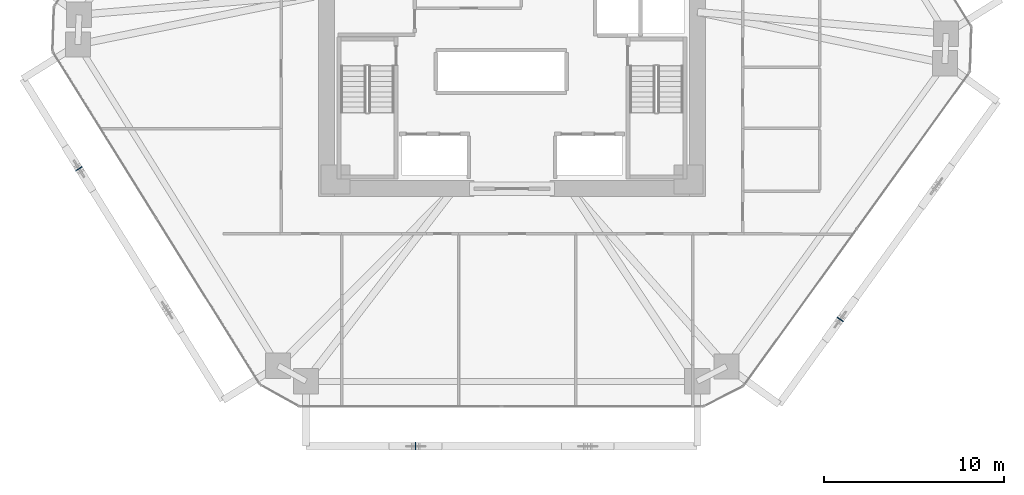
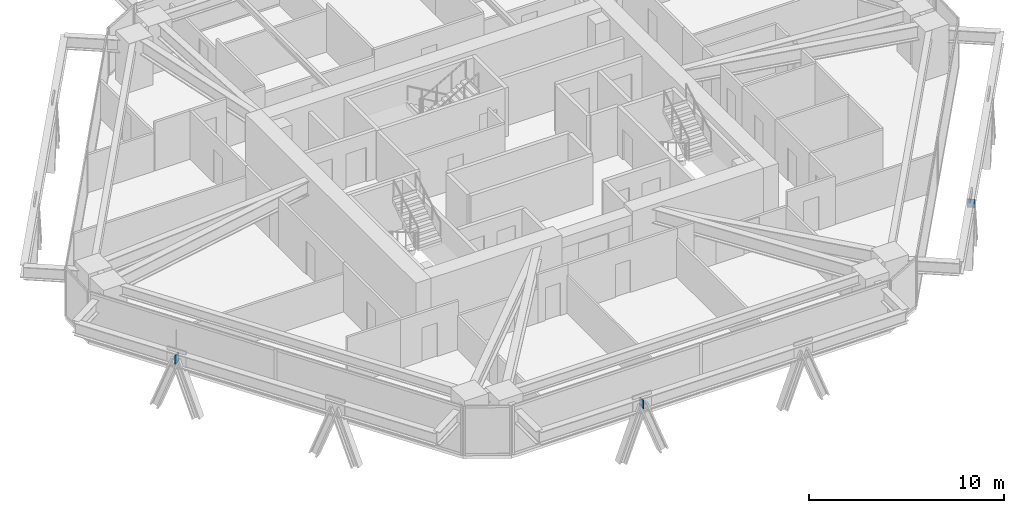
# One storey, part 11 of 17: 3 plates.
"""IFC4 building model written with IfcOpenShell, lengths in metres."""

from ifc_helpers import new_model, si_unit, direction, frame, origin, origin_2d, place, context, subcontext, project, spatial, rectangle, extrude, source, transform, mapped, material, layer, layer_set, type_object, type_shapes, element, save


model = new_model("IFC4")

# Units and contexts
model_context = context("Model", 3, precision=1e-05, world=origin(), true_north=direction((0.0, 1.0)))
body_context = subcontext(model_context, "Body", "Model", "MODEL_VIEW")
ifc_project = project(units=[si_unit("LENGTHUNIT", "METRE"), si_unit("AREAUNIT", "SQUARE_METRE"), si_unit("VOLUMEUNIT", "CUBIC_METRE"), si_unit("PLANEANGLEUNIT", "RADIAN"), si_unit("MASSUNIT", "GRAM", prefix="KILO")], contexts=[model_context])

# Site, building, storey
site_placement = place(None, origin())
site = spatial("IfcSite", under=ifc_project, at=site_placement, CompositionType="ELEMENT")
building_placement = place(site_placement, origin())
building = spatial("IfcBuilding", under=site, at=building_placement, Name="Durnholm Broadcast Tower", CompositionType="ELEMENT")
storey_placement = place(building_placement, frame((0.0, 0.0, 45.60009765625)))
storey = spatial("IfcBuildingStorey", under=building, at=storey_placement, Name="L10", CompositionType="ELEMENT", Elevation=45.60009765625)

# Plates
ifc_material = material(Name="Steel ASTM A572 Grade 50", Category="steel")
ifc_layer = layer(ifc_material, 0.044921875)
ifc_layer_set = layer_set([ifc_layer], Name="Steel ASTM A572 Grade 50")
plate_type = type_object("IfcPlateType", Name="PLT-KN-STIF", PredefinedType="SHEET", material=ifc_layer_set)
shared_shape = source(origin(), body_context, "Body", "SweptSolid", [
    extrude(rectangle(XDim=0.044921875, YDim=0.419921875, at=origin_2d()), origin(), (0.0, 0.0, 1.0), 0.52001953125),
])
type_shapes(plate_type, [shared_shape])
for number, where, z_axis, x_axis, name in (
    (1, (-5.351318359375, -22.60009765625, 2.04833984375), (0.0, 0.0, 1.0), (1.0, 0.0, 0.0), "L10 welded diagrid node stiffener plate F1"),
    (2, (18.223388671875, -15.56396484375, 2.04833984375), (0.0, 0.0, 1.0), (0.584816108738, 0.81116590101, 0.0), "L10 welded diagrid node stiffener plate F2"),
    (3, (-24.036376953125, -7.197509765625, 2.04833984375), (0.0, 0.0, 1.0), (0.528586500185, -0.848879444811, 0.0), "L10 welded diagrid node stiffener plate F6"),
):
    element("IfcPlate", number, at=place(storey_placement, frame(where, z_axis=z_axis, x_axis=x_axis)), inside=storey, type_object=plate_type, Name=name, PredefinedType="SHEET", context=body_context, shape_type="MappedRepresentation", body=[
        mapped(shared_shape, transform((0.0, 0.0, 0.0), x_axis=(1.0, 0.0, 0.0), y_axis=(0.0, 1.0, 0.0), z_axis=(0.0, 0.0, 1.0), scale=1.0)),
    ])

save(model, "model.ifc")
